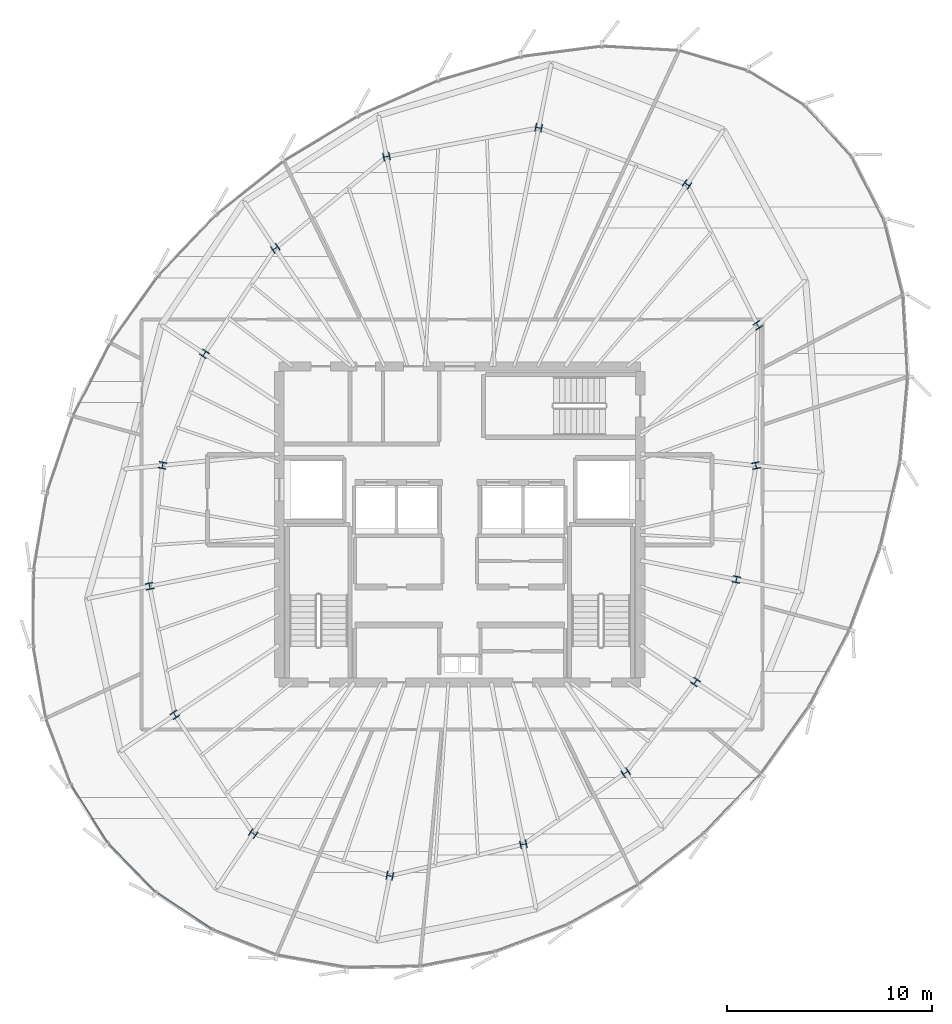
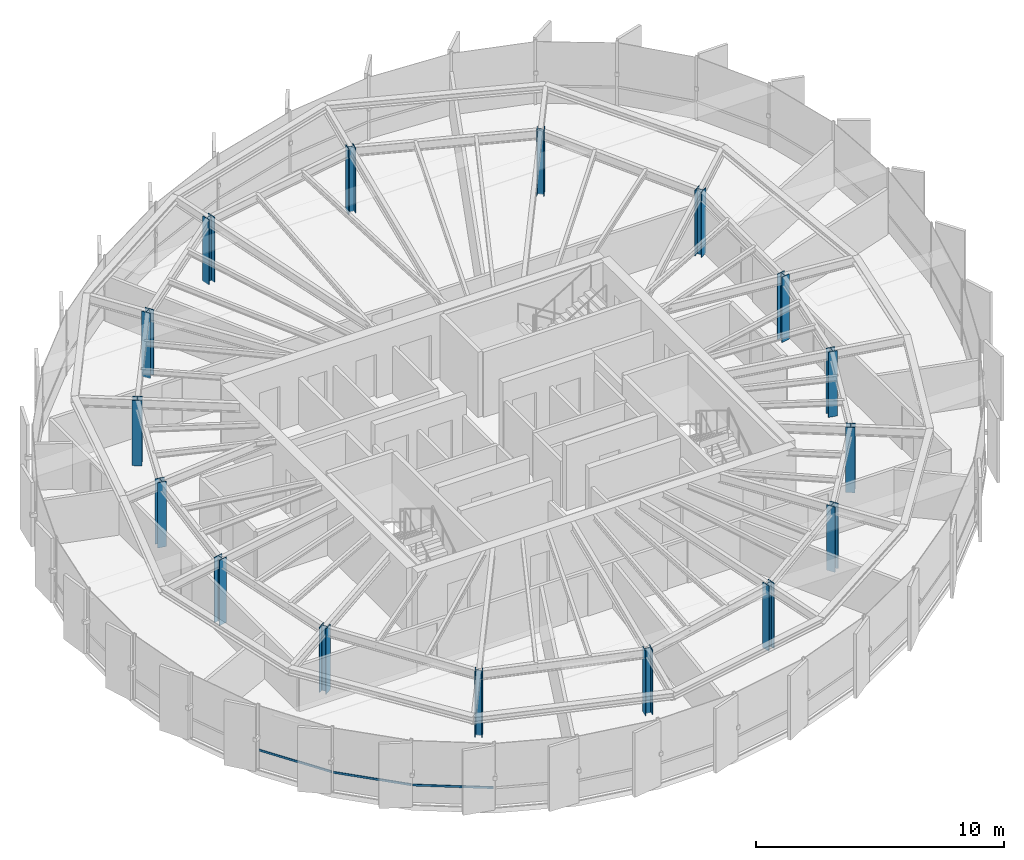
# One storey, part 1 of 33: 16 columns, 3 members, 2 elements without a shape of their own.
"""IFC4 building model written with IfcOpenShell, lengths in metres."""

from ifc_helpers import new_model, si_unit, direction, frame, origin, origin_2d, place, context, subcontext, project, spatial, hollow_rectangle, i_section, extrude, source, transform, mapped, material, layer, layer_set, material_profile, profile_set, type_object, element, aggregate, save


model = new_model("IFC4")

# Units and contexts
model_context = context("Model", 3, precision=1e-05, world=origin(), true_north=direction((0.0, 1.0)))
body_context = subcontext(model_context, "Body", "Model", "MODEL_VIEW")
ifc_project = project(units=[si_unit("LENGTHUNIT", "METRE"), si_unit("AREAUNIT", "SQUARE_METRE"), si_unit("VOLUMEUNIT", "CUBIC_METRE"), si_unit("PLANEANGLEUNIT", "RADIAN"), si_unit("MASSUNIT", "GRAM", prefix="KILO"), si_unit("THERMODYNAMICTEMPERATUREUNIT", "KELVIN")], contexts=[model_context])

# Site, building, storey
site_placement = place(None, origin())
site = spatial("IfcSite", under=ifc_project, at=site_placement, CompositionType="ELEMENT")
building_placement = place(site_placement, origin())
building = spatial("IfcBuilding", under=site, at=building_placement, Name="Kethvar Cultural Tower", CompositionType="ELEMENT")
storey_placement = place(building_placement, frame((0.0, 0.0, 238.75)))
storey = spatial("IfcBuildingStorey", under=building, at=storey_placement, Name="L62", CompositionType="ELEMENT", Elevation=238.75)

# Columns
ifc_material_1 = material(Name="Steel S460M", Category="steel")
ifc_material_profile_1 = material_profile(ifc_material_1, i_section(OverallWidth=0.386962890625, OverallDepth=0.31591796875, WebThickness=0.0185546875, FlangeThickness=0.028076171875, FilletRadius=0.014892578125, at=origin_2d()), Name="Steel S460M — HD400x382")
ifc_profile_set_1 = profile_set([ifc_material_profile_1], Name="Steel S460M — HD400x382")
column_type = type_object("IfcColumnType", Name="COL-HD382", PredefinedType="COLUMN", material=ifc_profile_set_1)
shared_shape_1 = source(origin(), body_context, "Body", "SweptSolid", [
    extrude(i_section(OverallWidth=0.386962890625, OverallDepth=0.31591796875, WebThickness=0.0185546875, FlangeThickness=0.028076171875, FilletRadius=0.014892578125, at=origin_2d()), origin(), (0.0, 0.0, 1.0), 3.2099609375),
])
for number, where, z_axis, x_axis, name in (
    (1, (61.237060546875, 30.671630859375, 0.0), (0.0, 0.0, 1.0), (0.980785280403, 0.195090322016, 0.0), "L62 Mega-Column MC-01"),
    (2, (61.32568359375, 37.505859375, 0.0), (0.0, 0.0, 1.0), (0.831469612303, 0.55557023302, 0.0), "L62 Mega-Column MC-02"),
    (3, (57.875244140625, 44.375, 0.0), (0.0, 0.0, 1.0), (0.55557023302, 0.831469612303, 0.0), "L62 Mega-Column MC-03"),
    (4, (50.645263671875, 47.131591796875, 0.0), (0.0, 0.0, 1.0), (0.195090322016, 0.980785280403, 0.0), "L62 Mega-Column MC-04"),
    (5, (43.23291015625, 45.732421875, 0.0), (0.0, 0.0, 1.0), (-0.195090322016, 0.980785280403, 0.0), "L62 Mega-Column MC-05"),
    (6, (37.8095703125, 41.255126953125, 0.0), (0.0, 0.0, 1.0), (-0.55557023302, 0.831469612303, 0.0), "L62 Mega-Column MC-06"),
    (7, (34.35595703125, 36.114990234375, 0.0), (0.0, 0.0, 1.0), (-0.831469612303, 0.55557023302, 0.0), "L62 Mega-Column MC-07"),
    (8, (32.3125, 30.681884765625, 0.0), (0.0, 0.0, 1.0), (-0.980785280403, 0.195090322016, 0.0), "L62 Mega-Column MC-08"),
    (9, (31.68310546875, 24.79296875, 0.0), (0.0, 0.0, 1.0), (-0.980785280403, -0.195090322016, 0.0), "L62 Mega-Column MC-09"),
    (10, (32.912841796875, 18.52099609375, 0.0), (0.0, 0.0, 1.0), (-0.831469612303, -0.55557023302, 0.0), "L62 Mega-Column MC-10"),
    (11, (36.731201171875, 12.73095703125, 0.0), (0.0, 0.0, 1.0), (-0.55557023302, -0.831469612303, 0.0), "L62 Mega-Column MC-11"),
    (12, (43.392822265625, 10.67138671875, 0.0), (0.0, 0.0, 1.0), (-0.195090322016, -0.980785280403, 0.0), "L62 Mega-Column MC-12"),
    (13, (49.901611328125, 12.206787109375, 0.0), (0.0, 0.0, 1.0), (0.195090322016, -0.980785280403, 0.0), "L62 Mega-Column MC-13"),
    (14, (54.885009765625, 15.7001953125, 0.0), (0.0, 0.0, 1.0), (0.55557023302, -0.831469612303, 0.0), "L62 Mega-Column MC-14"),
    (15, (58.287109375, 20.12451171875, 0.0), (0.0, 0.0, 1.0), (0.831469612303, -0.55557023302, 0.0), "L62 Mega-Column MC-15"),
    (16, (60.28369140625, 25.117919921875, 0.0), (0.0, 0.0, 1.0), (0.980785280403, -0.195090322016, 0.0), "L62 Mega-Column MC-16"),
):
    element("IfcColumn", number, at=place(storey_placement, frame(where, z_axis=z_axis, x_axis=x_axis)), inside=storey, type_object=column_type, Name=name, PredefinedType="COLUMN", context=body_context, shape_type="MappedRepresentation", body=[
        mapped(shared_shape_1, transform((0.0, 0.0, 0.0), scale=1.0)),
    ])

# Curtain wall, members
ifc_material_2 = material(Name="Aluminium 6063-T6", Category="aluminium")
ifc_layer = layer(ifc_material_2, 0.179931640625, Name="Aluminium 6063-T6", Category="aluminium")
ifc_layer_set = layer_set([ifc_layer], Name="Aluminium 6063-T6 (180 mm)")
curtain_wall_type = type_object("IfcCurtainWallType", Name="CW-SYS-05-Z56", PredefinedType="NOTDEFINED", material=ifc_layer_set)
curtain_wall_1_placement = place(storey_placement, origin())
curtain_wall_1 = element("IfcCurtainWall", 17, at=curtain_wall_1_placement, inside=storey, type_object=curtain_wall_type, Name="L62 Curtain Wall Run 03", PredefinedType="NOTDEFINED")
ifc_material_profile_2 = material_profile(ifc_material_2, hollow_rectangle(XDim=0.050048828125, YDim=0.10009765625, WallThickness=0.00390625, at=origin_2d()), Name="Aluminium 6063-T6 — RHS100x50x4")
ifc_profile_set_2 = profile_set([ifc_material_profile_2], Name="Aluminium 6063-T6 — RHS100x50x4")
member_type = type_object("IfcMemberType", Name="CW-SYS-05-Z56-TRN", PredefinedType="USERDEFINED", material=ifc_profile_set_2)
shared_shape_2 = source(origin(), body_context, "Body", "SweptSolid", [
    extrude(hollow_rectangle(XDim=0.050048828125, YDim=0.10009765625, WallThickness=0.00390625, at=origin_2d()), origin(), (0.0, 0.0, 1.0), 3.310546875),
])
member_1_placement = place(storey_placement, frame((27.880859375, 15.090576171875, 0.949951171875), z_axis=(0.534353634384, -0.845261020881, 0.0), x_axis=(0.845261020881, 0.534353634384, 0.0)))
member_1 = element("IfcMember", 18, at=member_1_placement, type_object=member_type, Name="CW-L62-R03 Transom 5", ObjectType="TRANSOM", PredefinedType="USERDEFINED", context=body_context, shape_type="MappedRepresentation", body=[
    mapped(shared_shape_2, transform((0.0, 0.0, 0.0), scale=1.0)),
])
shared_shape_3 = source(origin(), body_context, "Body", "SweptSolid", [
    extrude(hollow_rectangle(XDim=0.050048828125, YDim=0.10009765625, WallThickness=0.00390625, at=origin_2d()), origin(), (0.0, 0.0, 1.0), 3.2626953125),
])
member_2_placement = place(storey_placement, frame((29.685546875, 12.246826171875, 0.949951171875), z_axis=(0.698524865067, -0.715585783036, 0.0), x_axis=(0.715585783036, 0.698524865067, 0.0)))
member_2 = element("IfcMember", 19, at=member_2_placement, type_object=member_type, Name="CW-L62-R03 Transom 6", ObjectType="TRANSOM", PredefinedType="USERDEFINED", context=body_context, shape_type="MappedRepresentation", body=[
    mapped(shared_shape_3, transform((0.0, 0.0, 0.0), scale=1.0)),
])
aggregate(curtain_wall_1, [member_1, member_2])

# Curtain wall, member
curtain_wall_2_placement = place(storey_placement, origin())
curtain_wall_2 = element("IfcCurtainWall", 20, at=curtain_wall_2_placement, inside=storey, type_object=curtain_wall_type, Name="L62 Curtain Wall Run 04", PredefinedType="NOTDEFINED")
member_3_placement = place(storey_placement, frame((32.0087890625, 9.87548828125, 0.949951171875), z_axis=(0.833795952403, -0.552072739552, 0.0), x_axis=(0.552072739552, 0.833795952403, 0.0)))
member_3 = element("IfcMember", 21, at=member_3_placement, type_object=member_type, Name="CW-L62-R04 Transom 1", ObjectType="TRANSOM", PredefinedType="USERDEFINED", context=body_context, shape_type="MappedRepresentation", body=[
    mapped(shared_shape_3, transform((0.0, 0.0, 0.0), scale=1.0)),
])
aggregate(curtain_wall_2, [member_3])

save(model, "model.ifc")
